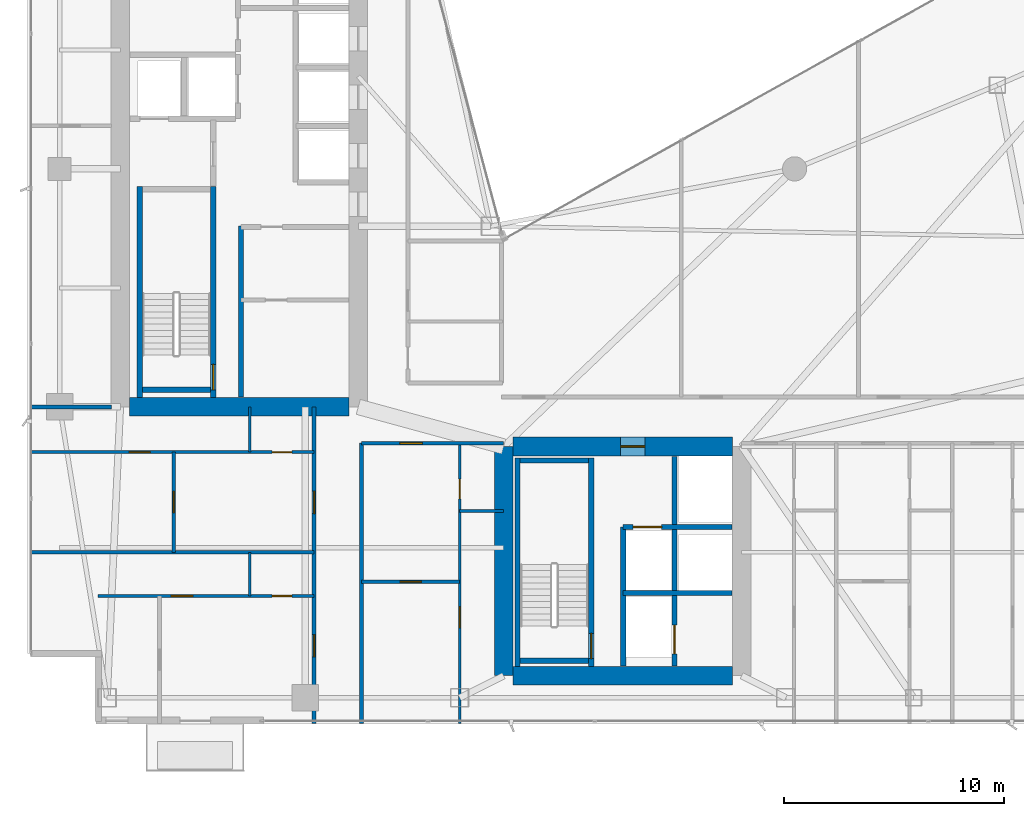
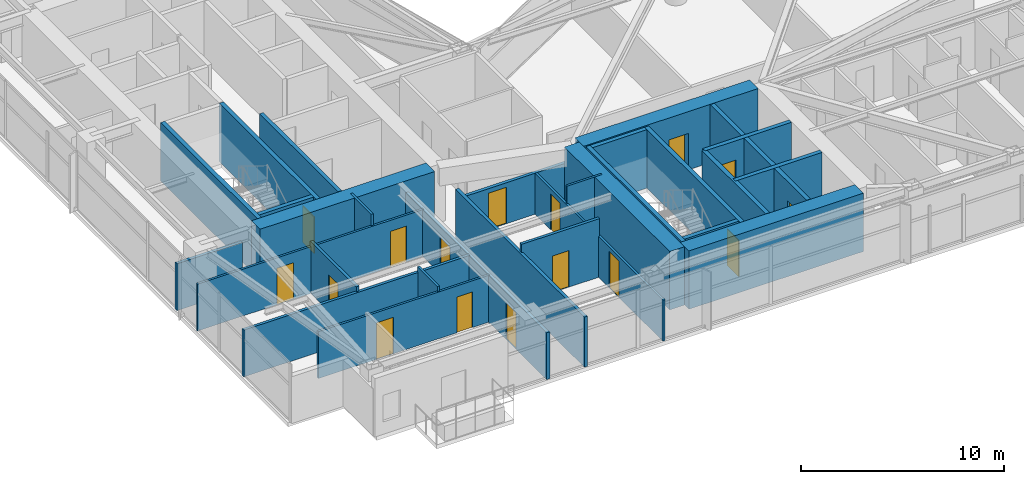
# One storey, part 22 of 28: 29 walls, 16 doors, 16 openings.
"""IFC4 building model written with IfcOpenShell, lengths in metres."""

from ifc_helpers import new_model, si_unit, direction, frame, frame_2d, origin, place, context, subcontext, project, spatial, rectangle, extrude, material, layer, layer_set, type_object, element, fill, save


model = new_model("IFC4")

# Units and contexts
model_context = context("Model", 3, precision=1e-05, world=origin(), true_north=direction((0.0, 1.0)))
body_context = subcontext(model_context, "Body", "Model", "MODEL_VIEW")
ifc_project = project(units=[si_unit("LENGTHUNIT", "METRE"), si_unit("AREAUNIT", "SQUARE_METRE"), si_unit("VOLUMEUNIT", "CUBIC_METRE"), si_unit("PLANEANGLEUNIT", "RADIAN"), si_unit("MASSUNIT", "GRAM", prefix="KILO")], contexts=[model_context])

# Site, building, storey
site_placement = place(None, origin())
site = spatial("IfcSite", under=ifc_project, at=site_placement, CompositionType="ELEMENT")
building_placement = place(site_placement, origin())
building = spatial("IfcBuilding", under=site, at=building_placement, Name="Calvorn Quay Hotel", CompositionType="ELEMENT")
storey_placement = place(building_placement, frame((0.0, 0.0, 135.39990234375)))
storey = spatial("IfcBuildingStorey", under=building, at=storey_placement, Name="L33", CompositionType="ELEMENT", Elevation=135.39990234375)

# Walls
ifc_material_1 = material(Name="Concrete C50", Category="concrete")
ifc_layer_1 = layer(ifc_material_1, 0.85009765625)
ifc_layer_set_1 = layer_set([ifc_layer_1], Name="WL-CORE-850")
wall_type_1 = type_object("IfcWallType", Name="WL-CORE-850", PredefinedType="SHEAR", material=ifc_layer_set_1)
wall_1_placement = place(storey_placement, frame((4.625, 16.800048828125, 0.0), z_axis=(0.0, 0.0, 1.0), x_axis=(1.0, 0.0, 0.0)))
element("IfcWall", 1, at=wall_1_placement, inside=storey, type_object=wall_type_1, Name="West Core Shear Wall S (L33)", PredefinedType="SHEAR", context=body_context, shape_type="SweptSolid", body=[
    extrude(rectangle(XDim=9.949951171875, YDim=0.85009765625, at=frame_2d((4.97509765625, 0.0))), origin(), (0.0, 0.0, 1.0), 3.52001953125),
])
wall_2_placement = place(storey_placement, frame((21.60009765625, 4.60009765625, 0.0), z_axis=(0.0, 0.0, 1.0), x_axis=(0.0, 1.0, 0.0)))
element("IfcWall", 2, at=wall_2_placement, inside=storey, type_object=wall_type_1, Name="East Core Shear Wall W (L33)", PredefinedType="SHEAR", context=body_context, shape_type="SweptSolid", body=[
    extrude(rectangle(XDim=10.39990234375, YDim=0.85009765625, at=frame_2d((5.199951171875, 0.0))), origin(), (0.0, 0.0, 1.0), 3.52001953125),
])

# Wall, opening, door
wall_3_placement = place(storey_placement, frame((22.02490234375, 15.0, 0.0), z_axis=(0.0, 0.0, 1.0), x_axis=(1.0, 0.0, 0.0)))
wall_3 = element("IfcWall", 3, at=wall_3_placement, inside=storey, type_object=wall_type_1, Name="East Core Shear Wall N (L33)", PredefinedType="SHEAR", context=body_context, shape_type="SweptSolid", body=[
    extrude(rectangle(XDim=9.9501953125, YDim=0.85009765625, at=frame_2d((4.97509765625, 0.0))), origin(), (0.0, 0.0, 1.0), 3.52001953125),
])
opening_1_placement = place(wall_3_placement, frame((4.8798828125, 0.0, 0.0)))
opening_1 = element("IfcOpeningElement", 4, at=opening_1_placement, cuts=wall_3, Name="Opening D-L33-FLE", PredefinedType="OPENING", context=body_context, shape_type="SweptSolid", body=[
    extrude(rectangle(XDim=1.10009765625, YDim=2.199951171875, at=frame_2d((0.550048828125, 1.10009765625))), frame((0.0, 0.43505859375, 0.0), z_axis=(0.0, -1.0, 0.0), x_axis=(1.0, 0.0, 0.0)), (0.0, 0.0, 1.0), 0.8701171875),
])
ifc_material_2 = material(Name="Smoke-Sealed Steel Class A Fire Door", Category="steel")
door_type_1 = type_object("IfcDoorType", Name="DR-FFLOBBY-1100", OperationType="NOTDEFINED", PredefinedType="DOOR", material=ifc_material_2)
door_1_placement = place(opening_1_placement, origin())
door_1 = element("IfcDoor", 5, at=door_1_placement, inside=storey, type_object=door_type_1, Name="East Firefighting Lobby Fire Door (L33)", OperationType="SINGLE_SWING_LEFT", OverallHeight=2.199951171875, OverallWidth=1.10009765625, PredefinedType="DOOR", context=body_context, shape_type="SweptSolid", body=[
    extrude(rectangle(XDim=1.10009765625, YDim=2.199951171875, at=frame_2d((0.550048828125, 1.10009765625))), frame((0.0, 0.02490234375, 0.0), z_axis=(0.0, -1.0, 0.0), x_axis=(1.0, 0.0, 0.0)), (0.0, 0.0, 1.0), 0.050048828125),
])
fill(opening_1, door_1)

# Walls
wall_4_placement = place(storey_placement, frame((22.02490234375, 4.60009765625, 0.0), z_axis=(0.0, 0.0, 1.0), x_axis=(1.0, 0.0, 0.0)))
element("IfcWall", 6, at=wall_4_placement, inside=storey, type_object=wall_type_1, Name="East Core Shear Wall S (L33)", PredefinedType="SHEAR", context=body_context, shape_type="SweptSolid", body=[
    extrude(rectangle(XDim=9.9501953125, YDim=0.85009765625, at=frame_2d((4.97509765625, 0.0))), origin(), (0.0, 0.0, 1.0), 3.52001953125),
])
ifc_material_3 = material(Name="Acoustic Fireboard Steel-Stud Partition", Category="steel")
ifc_layer_2 = layer(ifc_material_3, 0.179931640625)
ifc_layer_set_2 = layer_set([ifc_layer_2], Name="WL-CORR-FIRE-180")
wall_type_2 = type_object("IfcWallType", Name="WL-CORR-FIRE-180", PredefinedType="PARTITIONING", material=ifc_layer_set_2)
wall_5_placement = place(storey_placement, frame((0.080078125, 16.800048828125, 0.0), z_axis=(0.0, 0.0, 1.0), x_axis=(1.0, 0.0, 0.0)))
element("IfcWall", 7, at=wall_5_placement, inside=storey, type_object=wall_type_2, Name="Partition Wall L33-WL-WBAY-S-WALL", PredefinedType="PARTITIONING", context=body_context, shape_type="SweptSolid", body=[
    extrude(rectangle(XDim=3.724853515625, YDim=0.179931640625, at=frame_2d((1.8623046875, 0.0))), origin(), (0.0, 0.0, 1.0), 2.820068359375),
])

# Wall, openings, doors
wall_6_placement = place(storey_placement, frame((13.0, 2.43994140625, 0.0), z_axis=(0.0, 0.0, 1.0), x_axis=(0.0, 1.0, 0.0)))
wall_6 = element("IfcWall", 8, at=wall_6_placement, inside=storey, type_object=wall_type_2, Name="Partition Wall L33-WL-CORR-SW-LEG-W", PredefinedType="PARTITIONING", context=body_context, shape_type="SweptSolid", body=[
    extrude(rectangle(XDim=14.360107421875, YDim=0.179931640625, at=frame_2d((7.18017578125, 0.0))), origin(), (0.0, 0.0, 1.0), 2.820068359375),
])
opening_2_placement = place(wall_6_placement, frame((3.010009765625, 0.0, 0.0)))
opening_2 = element("IfcOpeningElement", 9, at=opening_2_placement, cuts=wall_6, Name="Opening D-L33-U01", PredefinedType="OPENING", context=body_context, shape_type="SweptSolid", body=[
    extrude(rectangle(XDim=1.02001953125, YDim=2.199951171875, at=frame_2d((0.510009765625, 1.10009765625))), frame((0.0, 0.099853515625, 0.0), z_axis=(0.0, -1.0, 0.0), x_axis=(1.0, 0.0, 0.0)), (0.0, 0.0, 1.0), 0.199951171875),
])
opening_3_placement = place(wall_6_placement, frame((9.52001953125, 0.0, 0.0)))
opening_3 = element("IfcOpeningElement", 10, at=opening_3_placement, cuts=wall_6, Name="Opening D-L33-U02", PredefinedType="OPENING", context=body_context, shape_type="SweptSolid", body=[
    extrude(rectangle(XDim=1.02001953125, YDim=2.199951171875, at=frame_2d((0.510009765625, 1.10009765625))), frame((0.0, 0.099853515625, 0.0), z_axis=(0.0, -1.0, 0.0), x_axis=(1.0, 0.0, 0.0)), (0.0, 0.0, 1.0), 0.199951171875),
])
ifc_material_4 = material(Name="Solid-Core Walnut Veneer Hotel Fire Door")
door_type_2 = type_object("IfcDoorType", Name="DR-GUEST-ENTRY-1020", OperationType="NOTDEFINED", PredefinedType="DOOR", material=ifc_material_4)
door_2_placement = place(opening_2_placement, origin())
door_2 = element("IfcDoor", 11, at=door_2_placement, inside=storey, type_object=door_type_2, Name="South-West Unit Door U01 (L33)", OperationType="SINGLE_SWING_LEFT", OverallHeight=2.199951171875, OverallWidth=1.02001953125, PredefinedType="DOOR", context=body_context, shape_type="SweptSolid", body=[
    extrude(rectangle(XDim=1.02001953125, YDim=2.199951171875, at=frame_2d((0.510009765625, 1.10009765625))), frame((0.0, 0.02490234375, 0.0), z_axis=(0.0, -1.0, 0.0), x_axis=(1.0, 0.0, 0.0)), (0.0, 0.0, 1.0), 0.050048828125),
])
fill(opening_2, door_2)
door_3_placement = place(opening_3_placement, origin())
door_3 = element("IfcDoor", 12, at=door_3_placement, inside=storey, type_object=door_type_2, Name="South-West Unit Door U02 (L33)", OperationType="SINGLE_SWING_RIGHT", OverallHeight=2.199951171875, OverallWidth=1.02001953125, PredefinedType="DOOR", context=body_context, shape_type="SweptSolid", body=[
    extrude(rectangle(XDim=1.02001953125, YDim=2.199951171875, at=frame_2d((0.510009765625, 1.10009765625))), frame((0.0, 0.02490234375, 0.0), z_axis=(0.0, -1.0, 0.0), x_axis=(1.0, 0.0, 0.0)), (0.0, 0.0, 1.0), 0.050048828125),
])
fill(opening_3, door_3)

# Wall
wall_7_placement = place(storey_placement, frame((15.14990234375, 2.43994140625, 0.0), z_axis=(0.0, 0.0, 1.0), x_axis=(0.0, 1.0, 0.0)))
element("IfcWall", 13, at=wall_7_placement, inside=storey, type_object=wall_type_2, Name="Partition Wall L33-WL-CORR-SW-W", PredefinedType="PARTITIONING", context=body_context, shape_type="SweptSolid", body=[
    extrude(rectangle(XDim=12.7099609375, YDim=0.179931640625, at=frame_2d((6.35498046875, 0.0))), origin(), (0.0, 0.0, 1.0), 3.02001953125),
])

# Wall, opening, door
wall_8_placement = place(storey_placement, frame((15.14990234375, 15.14990234375, 0.0), z_axis=(0.0, 0.0, 1.0), x_axis=(1.0, 0.0, 0.0)))
wall_8 = element("IfcWall", 14, at=wall_8_placement, inside=storey, type_object=wall_type_2, Name="Partition Wall L33-WL-SC-CORR-S", PredefinedType="PARTITIONING", context=body_context, shape_type="SweptSolid", body=[
    extrude(rectangle(XDim=6.4501953125, YDim=0.179931640625, at=frame_2d((3.22509765625, 0.0))), origin(), (0.0, 0.0, 1.0), 2.47021484375),
])
opening_4_placement = place(wall_8_placement, frame((1.739990234375, 0.0, 0.0)))
opening_4 = element("IfcOpeningElement", 15, at=opening_4_placement, cuts=wall_8, Name="Opening D-L33-U03", PredefinedType="OPENING", context=body_context, shape_type="SweptSolid", body=[
    extrude(rectangle(XDim=1.02001953125, YDim=2.199951171875, at=frame_2d((0.510009765625, 1.10009765625))), frame((0.0, 0.099853515625, 0.0), z_axis=(0.0, -1.0, 0.0), x_axis=(1.0, 0.0, 0.0)), (0.0, 0.0, 1.0), 0.199951171875),
])
door_4_placement = place(opening_4_placement, origin())
door_4 = element("IfcDoor", 16, at=door_4_placement, inside=storey, type_object=door_type_2, Name="Harbour Central Unit Door (L33)", OperationType="SINGLE_SWING_LEFT", OverallHeight=2.199951171875, OverallWidth=1.02001953125, PredefinedType="DOOR", context=body_context, shape_type="SweptSolid", body=[
    extrude(rectangle(XDim=1.02001953125, YDim=2.199951171875, at=frame_2d((0.510009765625, 1.10009765625))), frame((0.0, 0.02490234375, 0.0), z_axis=(0.0, -1.0, 0.0), x_axis=(1.0, 0.0, 0.0)), (0.0, 0.0, 1.0), 0.050048828125),
])
fill(opening_4, door_4)

# Wall
ifc_material_5 = material(Name="Moisture-Resistant Tile-Backed Partition")
ifc_layer_3 = layer(ifc_material_5, 0.125)
ifc_layer_set_3 = layer_set([ifc_layer_3], Name="WL-ENSUITE-125")
wall_type_3 = type_object("IfcWallType", Name="WL-ENSUITE-125", PredefinedType="PARTITIONING", material=ifc_layer_set_3)
wall_9_placement = place(storey_placement, frame((10.080078125, 8.219970703125, 0.0), z_axis=(0.0, 0.0, 1.0), x_axis=(0.0, 1.0, 0.0)))
element("IfcWall", 17, at=wall_9_placement, inside=storey, type_object=wall_type_3, Name="Partition Wall L33-WL-U01-BDV", PredefinedType="PARTITIONING", context=body_context, shape_type="SweptSolid", body=[
    extrude(rectangle(XDim=1.97998046875, YDim=0.125, at=frame_2d((0.989990234375, 0.0))), origin(), (0.0, 0.0, 1.0), 3.1201171875),
])

# Wall, openings, doors
wall_10_placement = place(storey_placement, frame((3.199951171875, 8.219970703125, 0.0), z_axis=(0.0, 0.0, 1.0), x_axis=(1.0, 0.0, 0.0)))
wall_10 = element("IfcWall", 18, at=wall_10_placement, inside=storey, type_object=wall_type_3, Name="Partition Wall L33-WL-U01-BH", PredefinedType="PARTITIONING", context=body_context, shape_type="SweptSolid", body=[
    extrude(rectangle(XDim=9.800048828125, YDim=0.125, at=frame_2d((4.89990234375, 0.0))), origin(), (0.0, 0.0, 1.0), 2.820068359375),
])
opening_5_placement = place(wall_10_placement, frame((3.320068359375, 0.0, 0.0)))
opening_5 = element("IfcOpeningElement", 19, at=opening_5_placement, cuts=wall_10, Name="Opening D-L33-S01", PredefinedType="OPENING", context=body_context, shape_type="SweptSolid", body=[
    extrude(rectangle(XDim=0.9599609375, YDim=2.199951171875, at=frame_2d((0.47998046875, 1.10009765625))), frame((0.0, 0.072509765625, 0.0), z_axis=(0.0, -1.0, 0.0), x_axis=(1.0, 0.0, 0.0)), (0.0, 0.0, 1.0), 0.14501953125),
])
opening_6_placement = place(wall_10_placement, frame((7.889892578125, 0.0, 0.0)))
opening_6 = element("IfcOpeningElement", 20, at=opening_6_placement, cuts=wall_10, Name="Opening D-L33-E01", PredefinedType="OPENING", context=body_context, shape_type="SweptSolid", body=[
    extrude(rectangle(XDim=0.89990234375, YDim=2.14990234375, at=frame_2d((0.449951171875, 1.074951171875))), frame((0.0, 0.072509765625, 0.0), z_axis=(0.0, -1.0, 0.0), x_axis=(1.0, 0.0, 0.0)), (0.0, 0.0, 1.0), 0.14501953125),
])
ifc_material_6 = material(Name="Moisture-Sealed Timber En-Suite Door", Category="wood")
door_type_3 = type_object("IfcDoorType", Name="DR-ENSUITE-900", OperationType="NOTDEFINED", PredefinedType="DOOR", material=ifc_material_6)
door_5_placement = place(opening_6_placement, origin())
door_5 = element("IfcDoor", 21, at=door_5_placement, inside=storey, type_object=door_type_3, Name="En-Suite Door 01", OperationType="SINGLE_SWING_RIGHT", OverallHeight=2.14990234375, OverallWidth=0.89990234375, PredefinedType="DOOR", context=body_context, shape_type="SweptSolid", body=[
    extrude(rectangle(XDim=0.89990234375, YDim=2.14990234375, at=frame_2d((0.449951171875, 1.074951171875))), frame((0.0, 0.02490234375, 0.0), z_axis=(0.0, -1.0, 0.0), x_axis=(1.0, 0.0, 0.0)), (0.0, 0.0, 1.0), 0.050048828125),
])
fill(opening_6, door_5)
ifc_material_7 = material(Name="Solid Timber Internal Suite Door", Category="wood")
door_type_4 = type_object("IfcDoorType", Name="DR-SUITE-INT-960", OperationType="NOTDEFINED", PredefinedType="DOOR", material=ifc_material_7)
door_6_placement = place(opening_5_placement, origin())
door_6 = element("IfcDoor", 22, at=door_6_placement, inside=storey, type_object=door_type_4, Name="Executive Work Office Door 01", OperationType="SINGLE_SWING_LEFT", OverallHeight=2.199951171875, OverallWidth=0.9599609375, PredefinedType="DOOR", context=body_context, shape_type="SweptSolid", body=[
    extrude(rectangle(XDim=0.9599609375, YDim=2.199951171875, at=frame_2d((0.47998046875, 1.10009765625))), frame((0.0, 0.02490234375, 0.0), z_axis=(0.0, -1.0, 0.0), x_axis=(1.0, 0.0, 0.0)), (0.0, 0.0, 1.0), 0.050048828125),
])
fill(opening_5, door_6)

# Wall
wall_11_placement = place(storey_placement, frame((10.080078125, 14.75, 0.0), z_axis=(0.0, 0.0, 1.0), x_axis=(0.0, 1.0, 0.0)))
element("IfcWall", 23, at=wall_11_placement, inside=storey, type_object=wall_type_3, Name="Partition Wall L33-WL-U02-BDV", PredefinedType="PARTITIONING", context=body_context, shape_type="SweptSolid", body=[
    extrude(rectangle(XDim=2.050048828125, YDim=0.125, at=frame_2d((1.02490234375, 0.0))), origin(), (0.0, 0.0, 1.0), 3.52001953125),
])

# Wall, openings, doors
wall_12_placement = place(storey_placement, frame((0.080078125, 14.75, 0.0), z_axis=(0.0, 0.0, 1.0), x_axis=(1.0, 0.0, 0.0)))
wall_12 = element("IfcWall", 24, at=wall_12_placement, inside=storey, type_object=wall_type_3, Name="Partition Wall L33-WL-U02-BH", PredefinedType="PARTITIONING", context=body_context, shape_type="SweptSolid", body=[
    extrude(rectangle(XDim=12.919921875, YDim=0.125, at=frame_2d((6.4599609375, 0.0))), origin(), (0.0, 0.0, 1.0), 2.820068359375),
])
opening_7_placement = place(wall_12_placement, frame((4.52001953125, 0.0, 0.0)))
opening_7 = element("IfcOpeningElement", 25, at=opening_7_placement, cuts=wall_12, Name="Opening D-L33-S02", PredefinedType="OPENING", context=body_context, shape_type="SweptSolid", body=[
    extrude(rectangle(XDim=0.9599609375, YDim=2.199951171875, at=frame_2d((0.47998046875, 1.10009765625))), frame((0.0, 0.072509765625, 0.0), z_axis=(0.0, -1.0, 0.0), x_axis=(1.0, 0.0, 0.0)), (0.0, 0.0, 1.0), 0.14501953125),
])
opening_8_placement = place(wall_12_placement, frame((11.010009765625, 0.0, 0.0)))
opening_8 = element("IfcOpeningElement", 26, at=opening_8_placement, cuts=wall_12, Name="Opening D-L33-E02", PredefinedType="OPENING", context=body_context, shape_type="SweptSolid", body=[
    extrude(rectangle(XDim=0.89990234375, YDim=2.14990234375, at=frame_2d((0.449951171875, 1.074951171875))), frame((0.0, 0.072509765625, 0.0), z_axis=(0.0, -1.0, 0.0), x_axis=(1.0, 0.0, 0.0)), (0.0, 0.0, 1.0), 0.14501953125),
])
door_7_placement = place(opening_8_placement, origin())
door_7 = element("IfcDoor", 27, at=door_7_placement, inside=storey, type_object=door_type_3, Name="En-Suite Door 02", OperationType="SINGLE_SWING_RIGHT", OverallHeight=2.14990234375, OverallWidth=0.89990234375, PredefinedType="DOOR", context=body_context, shape_type="SweptSolid", body=[
    extrude(rectangle(XDim=0.89990234375, YDim=2.14990234375, at=frame_2d((0.449951171875, 1.074951171875))), frame((0.0, 0.02490234375, 0.0), z_axis=(0.0, -1.0, 0.0), x_axis=(1.0, 0.0, 0.0)), (0.0, 0.0, 1.0), 0.050048828125),
])
fill(opening_8, door_7)
door_8_placement = place(opening_7_placement, origin())
door_8 = element("IfcDoor", 28, at=door_8_placement, inside=storey, type_object=door_type_4, Name="Executive Work Office Door 02", OperationType="SINGLE_SWING_LEFT", OverallHeight=2.199951171875, OverallWidth=0.9599609375, PredefinedType="DOOR", context=body_context, shape_type="SweptSolid", body=[
    extrude(rectangle(XDim=0.9599609375, YDim=2.199951171875, at=frame_2d((0.47998046875, 1.10009765625))), frame((0.0, 0.02490234375, 0.0), z_axis=(0.0, -1.0, 0.0), x_axis=(1.0, 0.0, 0.0)), (0.0, 0.0, 1.0), 0.050048828125),
])
fill(opening_7, door_8)

# Wall
wall_13_placement = place(storey_placement, frame((19.60009765625, 12.070068359375, 0.0), z_axis=(0.0, 0.0, 1.0), x_axis=(1.0, 0.0, 0.0)))
element("IfcWall", 29, at=wall_13_placement, inside=storey, type_object=wall_type_3, Name="Partition Wall L33-WL-U03-BDV", PredefinedType="PARTITIONING", context=body_context, shape_type="SweptSolid", body=[
    extrude(rectangle(XDim=2.0, YDim=0.125, at=frame_2d((1.0, 0.0))), origin(), (0.0, 0.0, 1.0), 3.52001953125),
])

# Wall, openings, doors
wall_14_placement = place(storey_placement, frame((19.60009765625, 2.43994140625, 0.0), z_axis=(0.0, 0.0, 1.0), x_axis=(0.0, 1.0, 0.0)))
wall_14 = element("IfcWall", 30, at=wall_14_placement, inside=storey, type_object=wall_type_3, Name="Partition Wall L33-WL-U03-BV", PredefinedType="PARTITIONING", context=body_context, shape_type="SweptSolid", body=[
    extrude(rectangle(XDim=12.7099609375, YDim=0.125, at=frame_2d((6.35498046875, 0.0))), origin(), (0.0, 0.0, 1.0), 2.47021484375),
])
opening_9_placement = place(wall_14_placement, frame((4.340087890625, 0.0, 0.0)))
opening_9 = element("IfcOpeningElement", 31, at=opening_9_placement, cuts=wall_14, Name="Opening D-L33-S03", PredefinedType="OPENING", context=body_context, shape_type="SweptSolid", body=[
    extrude(rectangle(XDim=0.9599609375, YDim=2.199951171875, at=frame_2d((0.47998046875, 1.10009765625))), frame((0.0, 0.072509765625, 0.0), z_axis=(0.0, -1.0, 0.0), x_axis=(1.0, 0.0, 0.0)), (0.0, 0.0, 1.0), 0.14501953125),
])
opening_10_placement = place(wall_14_placement, frame((10.179931640625, 0.0, 0.0)))
opening_10 = element("IfcOpeningElement", 32, at=opening_10_placement, cuts=wall_14, Name="Opening D-L33-E03", PredefinedType="OPENING", context=body_context, shape_type="SweptSolid", body=[
    extrude(rectangle(XDim=0.89990234375, YDim=2.14990234375, at=frame_2d((0.449951171875, 1.074951171875))), frame((0.0, 0.072509765625, 0.0), z_axis=(0.0, -1.0, 0.0), x_axis=(1.0, 0.0, 0.0)), (0.0, 0.0, 1.0), 0.14501953125),
])
door_9_placement = place(opening_10_placement, origin())
door_9 = element("IfcDoor", 33, at=door_9_placement, inside=storey, type_object=door_type_3, Name="En-Suite Door 03", OperationType="SINGLE_SWING_RIGHT", OverallHeight=2.14990234375, OverallWidth=0.89990234375, PredefinedType="DOOR", context=body_context, shape_type="SweptSolid", body=[
    extrude(rectangle(XDim=0.89990234375, YDim=2.14990234375, at=frame_2d((0.449951171875, 1.074951171875))), frame((0.0, 0.02490234375, 0.0), z_axis=(0.0, -1.0, 0.0), x_axis=(1.0, 0.0, 0.0)), (0.0, 0.0, 1.0), 0.050048828125),
])
fill(opening_10, door_9)
door_10_placement = place(opening_9_placement, origin())
door_10 = element("IfcDoor", 34, at=door_10_placement, inside=storey, type_object=door_type_4, Name="Executive Work Office Door 03", OperationType="SINGLE_SWING_LEFT", OverallHeight=2.199951171875, OverallWidth=0.9599609375, PredefinedType="DOOR", context=body_context, shape_type="SweptSolid", body=[
    extrude(rectangle(XDim=0.9599609375, YDim=2.199951171875, at=frame_2d((0.47998046875, 1.10009765625))), frame((0.0, 0.02490234375, 0.0), z_axis=(0.0, -1.0, 0.0), x_axis=(1.0, 0.0, 0.0)), (0.0, 0.0, 1.0), 0.050048828125),
])
fill(opening_9, door_10)

# Wall, opening, door
ifc_material_8 = material(Name="Double-Stud Acoustic Gypsum Partition")
ifc_layer_4 = layer(ifc_material_8, 0.159912109375)
ifc_layer_set_4 = layer_set([ifc_layer_4], Name="WL-INTERSUITE-160")
wall_type_4 = type_object("IfcWallType", Name="WL-INTERSUITE-160", PredefinedType="PARTITIONING", material=ifc_layer_set_4)
wall_15_placement = place(storey_placement, frame((6.6201171875, 10.199951171875, 0.0), z_axis=(0.0, 0.0, 1.0), x_axis=(0.0, 1.0, 0.0)))
wall_15 = element("IfcWall", 35, at=wall_15_placement, inside=storey, type_object=wall_type_4, Name="Partition Wall L33-WL-U02-MSP", PredefinedType="PARTITIONING", context=body_context, shape_type="SweptSolid", body=[
    extrude(rectangle(XDim=4.550048828125, YDim=0.159912109375, at=frame_2d((2.27490234375, 0.0))), origin(), (0.0, 0.0, 1.0), 3.1201171875),
])
opening_11_placement = place(wall_15_placement, frame((1.800048828125, 0.0, 0.0)))
opening_11 = element("IfcOpeningElement", 36, at=opening_11_placement, cuts=wall_15, Name="Opening D-L33-M02", PredefinedType="OPENING", context=body_context, shape_type="SweptSolid", body=[
    extrude(rectangle(XDim=0.9599609375, YDim=2.199951171875, at=frame_2d((0.47998046875, 1.10009765625))), frame((0.0, 0.08984375, 0.0), z_axis=(0.0, -1.0, 0.0), x_axis=(1.0, 0.0, 0.0)), (0.0, 0.0, 1.0), 0.179931640625),
])
door_11_placement = place(opening_11_placement, origin())
door_11 = element("IfcDoor", 37, at=door_11_placement, inside=storey, type_object=door_type_4, Name="Suite Bedroom Door 02", OperationType="SINGLE_SWING_LEFT", OverallHeight=2.199951171875, OverallWidth=0.9599609375, PredefinedType="DOOR", context=body_context, shape_type="SweptSolid", body=[
    extrude(rectangle(XDim=0.9599609375, YDim=2.199951171875, at=frame_2d((0.47998046875, 1.10009765625))), frame((0.0, 0.02490234375, 0.0), z_axis=(0.0, -1.0, 0.0), x_axis=(1.0, 0.0, 0.0)), (0.0, 0.0, 1.0), 0.050048828125),
])
fill(opening_11, door_11)

# Wall
wall_16_placement = place(storey_placement, frame((0.080078125, 10.199951171875, 0.0), z_axis=(0.0, 0.0, 1.0), x_axis=(1.0, 0.0, 0.0)))
element("IfcWall", 38, at=wall_16_placement, inside=storey, type_object=wall_type_4, Name="Partition Wall L33-WL-SW-DIV-1", PredefinedType="PARTITIONING", context=body_context, shape_type="SweptSolid", body=[
    extrude(rectangle(XDim=12.919921875, YDim=0.159912109375, at=frame_2d((6.4599609375, 0.0))), origin(), (0.0, 0.0, 1.0), 2.820068359375),
])

# Wall, opening, door
wall_17_placement = place(storey_placement, frame((15.14990234375, 8.8701171875, 0.0), z_axis=(0.0, 0.0, 1.0), x_axis=(1.0, 0.0, 0.0)))
wall_17 = element("IfcWall", 39, at=wall_17_placement, inside=storey, type_object=wall_type_4, Name="Partition Wall L33-WL-U03-MSP", PredefinedType="PARTITIONING", context=body_context, shape_type="SweptSolid", body=[
    extrude(rectangle(XDim=4.4501953125, YDim=0.159912109375, at=frame_2d((2.22509765625, 0.0))), origin(), (0.0, 0.0, 1.0), 3.52001953125),
])
opening_12_placement = place(wall_17_placement, frame((1.75, 0.0, 0.0)))
opening_12 = element("IfcOpeningElement", 40, at=opening_12_placement, cuts=wall_17, Name="Opening D-L33-M03", PredefinedType="OPENING", context=body_context, shape_type="SweptSolid", body=[
    extrude(rectangle(XDim=0.9599609375, YDim=2.199951171875, at=frame_2d((0.47998046875, 1.10009765625))), frame((0.0, 0.08984375, 0.0), z_axis=(0.0, -1.0, 0.0), x_axis=(1.0, 0.0, 0.0)), (0.0, 0.0, 1.0), 0.179931640625),
])
door_12_placement = place(opening_12_placement, origin())
door_12 = element("IfcDoor", 41, at=door_12_placement, inside=storey, type_object=door_type_4, Name="Suite Bedroom Door 03", OperationType="SINGLE_SWING_LEFT", OverallHeight=2.199951171875, OverallWidth=0.9599609375, PredefinedType="DOOR", context=body_context, shape_type="SweptSolid", body=[
    extrude(rectangle(XDim=0.9599609375, YDim=2.199951171875, at=frame_2d((0.47998046875, 1.10009765625))), frame((0.0, 0.02490234375, 0.0), z_axis=(0.0, -1.0, 0.0), x_axis=(1.0, 0.0, 0.0)), (0.0, 0.0, 1.0), 0.050048828125),
])
fill(opening_12, door_12)

# Walls
ifc_material_9 = material(Name="Autoclaved Aerated Masonry Block", Category="masonry")
ifc_layer_5 = layer(ifc_material_9, 0.219970703125)
ifc_layer_set_5 = layer_set([ifc_layer_5], Name="WL-LOBBY-FIRE-220")
wall_type_5 = type_object("IfcWallType", Name="WL-LOBBY-FIRE-220", PredefinedType="SOLIDWALL", material=ifc_layer_set_5)
wall_18_placement = place(storey_placement, frame((9.679931640625, 17.2451171875, 0.0), z_axis=(0.0, 0.0, 1.0), x_axis=(0.0, 1.0, 0.0)))
element("IfcWall", 42, at=wall_18_placement, inside=storey, type_object=wall_type_5, Name="Partition Wall L33-WL-CWW-STW-HALL-E", PredefinedType="SOLIDWALL", context=body_context, shape_type="SweptSolid", body=[
    extrude(rectangle(XDim=7.7548828125, YDim=0.219970703125, at=frame_2d((3.87744140625, 0.0))), origin(), (0.0, 0.0, 1.0), 3.52001953125),
])
ifc_material_10 = material(Name="Concrete C40", Category="concrete")
ifc_layer_6 = layer(ifc_material_10, 0.239990234375)
ifc_layer_set_6 = layer_set([ifc_layer_6], Name="WL-SHAFT-240")
wall_type_6 = type_object("IfcWallType", Name="WL-SHAFT-240", PredefinedType="SOLIDWALL", material=ifc_layer_set_6)
wall_19_placement = place(storey_placement, frame((5.080078125, 17.22509765625, 0.0), z_axis=(0.0, 0.0, 1.0), x_axis=(0.0, 1.0, 0.0)))
element("IfcWall", 43, at=wall_19_placement, inside=storey, type_object=wall_type_6, Name="Stair STW Shaft Wall W (L33)", PredefinedType="SOLIDWALL", context=body_context, shape_type="SweptSolid", body=[
    extrude(rectangle(XDim=9.56494140625, YDim=0.239990234375, at=frame_2d((4.782470703125, 0.0))), origin(), (0.0, 0.0, 1.0), 3.52001953125),
])

# Wall, opening, door
wall_20_placement = place(storey_placement, frame((8.419921875, 17.22509765625, 0.0), z_axis=(0.0, 0.0, 1.0), x_axis=(0.0, 1.0, 0.0)))
wall_20 = element("IfcWall", 44, at=wall_20_placement, inside=storey, type_object=wall_type_6, Name="Stair STW Shaft Wall E (L33)", PredefinedType="SOLIDWALL", context=body_context, shape_type="SweptSolid", body=[
    extrude(rectangle(XDim=9.56494140625, YDim=0.239990234375, at=frame_2d((4.782470703125, 0.0))), origin(), (0.0, 0.0, 1.0), 3.52001953125),
])
opening_13_placement = place(wall_20_placement, frame((0.35009765625, 0.0, 0.0)))
opening_13 = element("IfcOpeningElement", 45, at=opening_13_placement, cuts=wall_20, Name="Opening D-L33-STW", PredefinedType="OPENING", context=body_context, shape_type="SweptSolid", body=[
    extrude(rectangle(XDim=1.14990234375, YDim=2.199951171875, at=frame_2d((0.574951171875, 1.10009765625))), frame((0.0, 0.1298828125, 0.0), z_axis=(0.0, -1.0, 0.0), x_axis=(1.0, 0.0, 0.0)), (0.0, 0.0, 1.0), 0.260009765625),
])
ifc_material_11 = material(Name="Galvanised Steel Class A Fire Door", Category="steel")
door_type_5 = type_object("IfcDoorType", Name="DR-STAIR-SMOKE-1150", OperationType="NOTDEFINED", PredefinedType="DOOR", material=ifc_material_11)
door_13_placement = place(opening_13_placement, origin())
door_13 = element("IfcDoor", 46, at=door_13_placement, inside=storey, type_object=door_type_5, Name="Stair ST-W Fire Door (L33)", OperationType="SINGLE_SWING_LEFT", OverallHeight=2.199951171875, OverallWidth=1.14990234375, PredefinedType="DOOR", context=body_context, shape_type="SweptSolid", body=[
    extrude(rectangle(XDim=1.14990234375, YDim=2.199951171875, at=frame_2d((0.574951171875, 1.10009765625))), frame((0.0, 0.02490234375, 0.0), z_axis=(0.0, -1.0, 0.0), x_axis=(1.0, 0.0, 0.0)), (0.0, 0.0, 1.0), 0.050048828125),
])
fill(opening_13, door_13)

# Walls
wall_21_placement = place(storey_placement, frame((5.199951171875, 17.580078125, 0.0), z_axis=(0.0, 0.0, 1.0), x_axis=(1.0, 0.0, 0.0)))
element("IfcWall", 47, at=wall_21_placement, inside=storey, type_object=wall_type_6, Name="Stair STW Shaft Wall S (L33)", PredefinedType="SOLIDWALL", context=body_context, shape_type="SweptSolid", body=[
    extrude(rectangle(XDim=3.10009765625, YDim=0.239990234375, at=frame_2d((1.550048828125, 0.0))), origin(), (0.0, 0.0, 1.0), 3.52001953125),
])
wall_22_placement = place(storey_placement, frame((22.22998046875, 5.02490234375, 0.0), z_axis=(0.0, 0.0, 1.0), x_axis=(0.0, 1.0, 0.0)))
element("IfcWall", 48, at=wall_22_placement, inside=storey, type_object=wall_type_6, Name="Stair STE Shaft Wall W (L33)", PredefinedType="SOLIDWALL", context=body_context, shape_type="SweptSolid", body=[
    extrude(rectangle(XDim=9.465087890625, YDim=0.239990234375, at=frame_2d((4.732421875, 0.0))), origin(), (0.0, 0.0, 1.0), 3.52001953125),
])

# Wall, opening, door
wall_23_placement = place(storey_placement, frame((25.570068359375, 5.02490234375, 0.0), z_axis=(0.0, 0.0, 1.0), x_axis=(0.0, 1.0, 0.0)))
wall_23 = element("IfcWall", 49, at=wall_23_placement, inside=storey, type_object=wall_type_6, Name="Stair STE Shaft Wall E (L33)", PredefinedType="SOLIDWALL", context=body_context, shape_type="SweptSolid", body=[
    extrude(rectangle(XDim=9.465087890625, YDim=0.239990234375, at=frame_2d((4.732421875, 0.0))), origin(), (0.0, 0.0, 1.0), 3.52001953125),
])
opening_14_placement = place(wall_23_placement, frame((0.35009765625, 0.0, 0.0)))
opening_14 = element("IfcOpeningElement", 50, at=opening_14_placement, cuts=wall_23, Name="Opening D-L33-STE", PredefinedType="OPENING", context=body_context, shape_type="SweptSolid", body=[
    extrude(rectangle(XDim=1.14990234375, YDim=2.199951171875, at=frame_2d((0.574951171875, 1.10009765625))), frame((0.0, 0.1298828125, 0.0), z_axis=(0.0, -1.0, 0.0), x_axis=(1.0, 0.0, 0.0)), (0.0, 0.0, 1.0), 0.260009765625),
])
door_14_placement = place(opening_14_placement, origin())
door_14 = element("IfcDoor", 51, at=door_14_placement, inside=storey, type_object=door_type_5, Name="Stair ST-E Fire Door (L33)", OperationType="SINGLE_SWING_RIGHT", OverallHeight=2.199951171875, OverallWidth=1.14990234375, PredefinedType="DOOR", context=body_context, shape_type="SweptSolid", body=[
    extrude(rectangle(XDim=1.14990234375, YDim=2.199951171875, at=frame_2d((0.574951171875, 1.10009765625))), frame((0.0, 0.02490234375, 0.0), z_axis=(0.0, -1.0, 0.0), x_axis=(1.0, 0.0, 0.0)), (0.0, 0.0, 1.0), 0.050048828125),
])
fill(opening_14, door_14)

# Walls
for number, where, z_axis, x_axis, name in (
    (52, (22.35009765625, 5.280029296875, 0.0), (0.0, 0.0, 1.0), (1.0, 0.0, 0.0), "Stair STE Shaft Wall S (L33)"),
    (53, (22.35009765625, 14.3701171875, 0.0), (0.0, 0.0, 1.0), (1.0, 0.0, 0.0), "Stair STE Shaft Wall N (L33)"),
):
    element("IfcWall", number, at=place(storey_placement, frame(where, z_axis=z_axis, x_axis=x_axis)), inside=storey, type_object=wall_type_6, Name=name, PredefinedType="SOLIDWALL", context=body_context, shape_type="SweptSolid", body=[
        extrude(rectangle(XDim=3.099853515625, YDim=0.239990234375, at=frame_2d((1.5498046875, 0.0))), origin(), (0.0, 0.0, 1.0), 3.52001953125),
    ])
wall_24_placement = place(storey_placement, frame((27.02001953125, 5.044921875, 0.0), z_axis=(0.0, 0.0, 1.0), x_axis=(0.0, 1.0, 0.0)))
element("IfcWall", 54, at=wall_24_placement, inside=storey, type_object=wall_type_6, Name="Partition Wall L33-WL-CWE-SH-W", PredefinedType="SOLIDWALL", context=body_context, shape_type="SweptSolid", body=[
    extrude(rectangle(XDim=6.30517578125, YDim=0.239990234375, at=frame_2d((3.152587890625, 0.0))), origin(), (0.0, 0.0, 1.0), 3.52001953125),
])

# Wall, opening, door
wall_25_placement = place(storey_placement, frame((27.02001953125, 11.35009765625, 0.0), z_axis=(0.0, 0.0, 1.0), x_axis=(1.0, 0.0, 0.0)))
wall_25 = element("IfcWall", 55, at=wall_25_placement, inside=storey, type_object=wall_type_6, Name="Partition Wall L33-WL-CWE-FFL-S", PredefinedType="SOLIDWALL", context=body_context, shape_type="SweptSolid", body=[
    extrude(rectangle(XDim=4.93505859375, YDim=0.239990234375, at=frame_2d((2.467529296875, 0.0))), origin(), (0.0, 0.0, 1.0), 3.52001953125),
])
opening_15_placement = place(wall_25_placement, frame((0.449951171875, 0.0, 0.0)))
opening_15 = element("IfcOpeningElement", 56, at=opening_15_placement, cuts=wall_25, Name="Opening LD-L33-FLE1", PredefinedType="OPENING", context=body_context, shape_type="SweptSolid", body=[
    extrude(rectangle(XDim=1.300048828125, YDim=2.35009765625, at=frame_2d((0.64990234375, 1.175048828125))), frame((0.0, 0.1298828125, 0.0), z_axis=(0.0, -1.0, 0.0), x_axis=(1.0, 0.0, 0.0)), (0.0, 0.0, 1.0), 0.260009765625),
])
ifc_material_12 = material(Name="Champagne-Bronze Sliding Express Lift Landing Door")
door_type_6 = type_object("IfcDoorType", Name="DR-LIFT-SHUTTLE-1300", OperationType="NOTDEFINED", PredefinedType="DOOR", material=ifc_material_12)
door_15_placement = place(opening_15_placement, origin())
door_15 = element("IfcDoor", 57, at=door_15_placement, inside=storey, type_object=door_type_6, Name="Firefighting Lift FL-E1 Landing Door (L33)", OperationType="DOUBLE_DOOR_SLIDING", OverallHeight=2.35009765625, OverallWidth=1.300048828125, PredefinedType="DOOR", context=body_context, shape_type="SweptSolid", body=[
    extrude(rectangle(XDim=1.300048828125, YDim=2.35009765625, at=frame_2d((0.64990234375, 1.175048828125))), frame((0.0, 0.02490234375, 0.0), z_axis=(0.0, -1.0, 0.0), x_axis=(1.0, 0.0, 0.0)), (0.0, 0.0, 1.0), 0.050048828125),
])
fill(opening_15, door_15)

# Wall
wall_26_placement = place(storey_placement, frame((27.02001953125, 8.35009765625, 0.0), z_axis=(0.0, 0.0, 1.0), x_axis=(1.0, 0.0, 0.0)))
element("IfcWall", 58, at=wall_26_placement, inside=storey, type_object=wall_type_6, Name="Partition Wall L33-WL-CWE-SL-N", PredefinedType="SOLIDWALL", context=body_context, shape_type="SweptSolid", body=[
    extrude(rectangle(XDim=4.93505859375, YDim=0.239990234375, at=frame_2d((2.467529296875, 0.0))), origin(), (0.0, 0.0, 1.0), 3.52001953125),
])

# Wall, opening, door
wall_27_placement = place(storey_placement, frame((29.35009765625, 5.044921875, 0.0), z_axis=(0.0, 0.0, 1.0), x_axis=(0.0, 1.0, 0.0)))
wall_27 = element("IfcWall", 59, at=wall_27_placement, inside=storey, type_object=wall_type_6, Name="Partition Wall L33-WL-CWE-OB-W", PredefinedType="SOLIDWALL", context=body_context, shape_type="SweptSolid", body=[
    extrude(rectangle(XDim=9.510009765625, YDim=0.239990234375, at=frame_2d((4.7548828125, 0.0))), origin(), (0.0, 0.0, 1.0), 3.52001953125),
])
opening_16_placement = place(wall_27_placement, frame((0.550048828125, 0.0, 0.0)))
opening_16 = element("IfcOpeningElement", 60, at=opening_16_placement, cuts=wall_27, Name="Opening LD-L33-SLEI", PredefinedType="OPENING", context=body_context, shape_type="SweptSolid", body=[
    extrude(rectangle(XDim=1.300048828125, YDim=2.35009765625, at=frame_2d((0.64990234375, 1.175048828125))), frame((0.0, 0.1298828125, 0.0), z_axis=(0.0, -1.0, 0.0), x_axis=(1.0, 0.0, 0.0)), (0.0, 0.0, 1.0), 0.260009765625),
])
door_16_placement = place(opening_16_placement, origin())
door_16 = element("IfcDoor", 61, at=door_16_placement, inside=storey, type_object=door_type_6, Name="Service Lift SL-E1 Landing Door (L33)", OperationType="DOUBLE_DOOR_SLIDING", OverallHeight=2.35009765625, OverallWidth=1.300048828125, PredefinedType="DOOR", context=body_context, shape_type="SweptSolid", body=[
    extrude(rectangle(XDim=1.300048828125, YDim=2.35009765625, at=frame_2d((0.64990234375, 1.175048828125))), frame((0.0, 0.02490234375, 0.0), z_axis=(0.0, -1.0, 0.0), x_axis=(1.0, 0.0, 0.0)), (0.0, 0.0, 1.0), 0.050048828125),
])
fill(opening_16, door_16)

save(model, "model.ifc")
